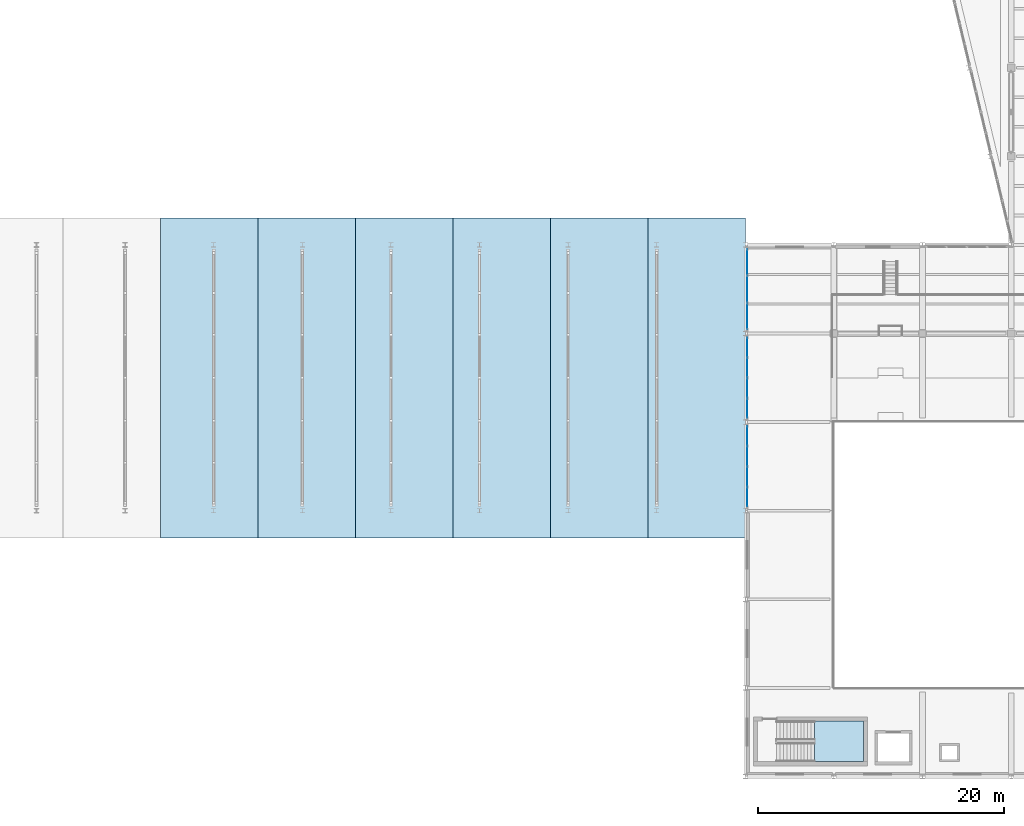
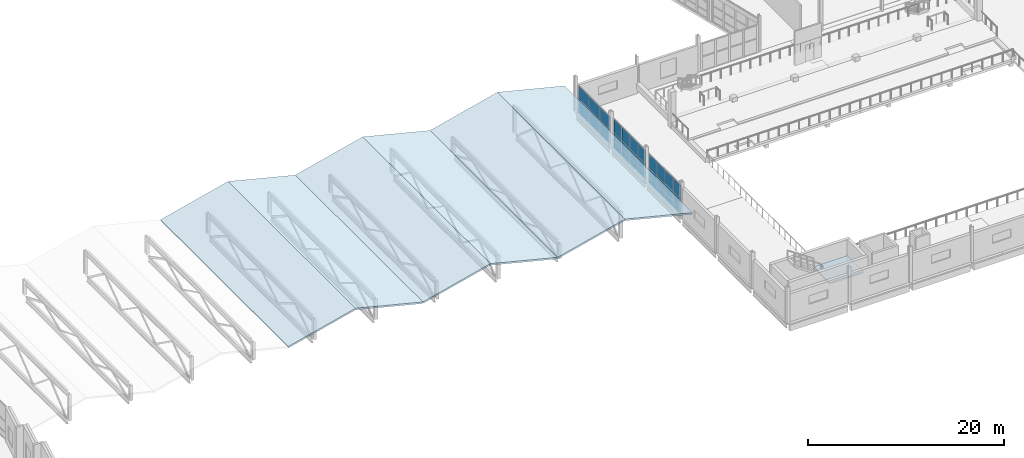
# One storey, part 75 of 123: 30 plates, 7 slabs, 4 elements without a shape of their own.
"""IFC4 building model written with IfcOpenShell, lengths in metres."""

from ifc_helpers import new_model, si_unit, direction, frame, origin, origin_2d, place, context, subcontext, project, spatial, polyline, rectangle, outline, extrude, material, layer, layer_set, type_object, element, aggregate, save


model = new_model("IFC4")

# Units and contexts
model_context = context("Model", 3, precision=1e-05, world=origin(), true_north=direction((0.0, 1.0)))
body_context = subcontext(model_context, "Body", "Model", "MODEL_VIEW")
ifc_project = project(units=[si_unit("LENGTHUNIT", "METRE"), si_unit("AREAUNIT", "SQUARE_METRE"), si_unit("VOLUMEUNIT", "CUBIC_METRE"), si_unit("PLANEANGLEUNIT", "RADIAN"), si_unit("MASSUNIT", "GRAM", prefix="KILO")], contexts=[model_context])

# Site, building, storey
site_placement = place(None, origin())
site = spatial("IfcSite", under=ifc_project, at=site_placement, CompositionType="ELEMENT")
building_placement = place(site_placement, origin())
building = spatial("IfcBuilding", under=site, at=building_placement, Name="Kalmorath City Hall", CompositionType="ELEMENT")
storey_placement = place(building_placement, frame((0.0, 0.0, 10.199951171875)))
storey = spatial("IfcBuildingStorey", under=building, at=storey_placement, Name="L02", CompositionType="ELEMENT", Elevation=10.199951171875)

# Slabs
ifc_material_1 = material(Name="Concrete C40/50", Category="concrete")
ifc_layer_1 = layer(ifc_material_1, 0.199951171875)
ifc_layer_set_1 = layer_set([ifc_layer_1], Name="Concrete C40/50")
slab_type_1 = type_object("IfcSlabType", Name="Concrete folded-plate hall roof slab 200", PredefinedType="ROOF", material=ifc_layer_set_1)
slab_1_placement = place(storey_placement, frame((67.679931640625, 19.39990234375, 1.900146484375), z_axis=(-0.242528588587, 0.0, 0.97014425923), x_axis=(0.97014425923, 0.0, 0.242528588587)))
element("IfcSlab", 1, at=slab_1_placement, inside=storey, type_object=slab_type_1, Name="Public Hall folded roof panel F5", PredefinedType="ROOF", context=body_context, shape_type="SweptSolid", body=[
    extrude(outline(polyline([(0.0, 0.0), (8.163905460727278, 0.0), (8.163905460727278, 26.0), (0.0, 26.0), (0.0, 0.0)])), origin(), (0.0, 0.0, -1.0), 0.199951171875),
])
for number, where, z_axis, x_axis, name in (
    (2, (75.60009765625, 19.39990234375, 3.880126953125), (0.242535625036, 0.0, 0.970142500145), (0.970142500145, 0.0, -0.242535625036), "Public Hall folded roof panel F6"),
    (3, (83.52001953125, 19.39990234375, 1.900146484375), (-0.242535625036, 0.0, 0.970142500145), (0.970142500145, 0.0, 0.242535625036), "Public Hall folded roof panel F7"),
):
    element("IfcSlab", number, at=place(storey_placement, frame(where, z_axis=z_axis, x_axis=x_axis)), inside=storey, type_object=slab_type_1, Name=name, PredefinedType="ROOF", context=body_context, shape_type="SweptSolid", body=[
        extrude(outline(polyline([(0.0, 0.0), (8.163668609316217, 0.0), (8.163668609316217, 26.0), (0.0, 26.0), (0.0, 0.0)])), origin(), (0.0, 0.0, -1.0), 0.199951171875),
    ])
slab_2_placement = place(storey_placement, frame((91.43994140625, 19.39990234375, 3.880126953125), z_axis=(0.242528588587, 0.0, 0.97014425923), x_axis=(0.97014425923, 0.0, -0.242528588587)))
element("IfcSlab", 4, at=slab_2_placement, inside=storey, type_object=slab_type_1, Name="Public Hall folded roof panel F8", PredefinedType="ROOF", context=body_context, shape_type="SweptSolid", body=[
    extrude(outline(polyline([(0.0, 0.0), (8.163905460727278, 0.0), (8.163905460727278, 26.0), (0.0, 26.0), (0.0, 0.0)])), origin(), (0.0, 0.0, -1.0), 0.199951171875),
])
for number, where, z_axis, x_axis, name in (
    (5, (99.360107421875, 19.39990234375, 1.900146484375), (-0.242535625036, 0.0, 0.970142500145), (0.970142500145, 0.0, 0.242535625036), "Public Hall folded roof panel F9"),
    (6, (107.280029296875, 19.39990234375, 3.880126953125), (0.242535625036, 0.0, 0.970142500145), (0.970142500145, 0.0, -0.242535625036), "Public Hall folded roof panel F10"),
):
    element("IfcSlab", number, at=place(storey_placement, frame(where, z_axis=z_axis, x_axis=x_axis)), inside=storey, type_object=slab_type_1, Name=name, PredefinedType="ROOF", context=body_context, shape_type="SweptSolid", body=[
        extrude(outline(polyline([(0.0, 0.0), (8.163668609316217, 0.0), (8.163668609316217, 26.0), (0.0, 26.0), (0.0, 0.0)])), origin(), (0.0, 0.0, -1.0), 0.199951171875),
    ])

# Stair, slab
ifc_material_2 = material(Name="Concrete C40/50", Category="concrete")
stair_type = type_object("IfcStairType", Name="Dogleg concrete exit stair 24R x 188mm W1550", PredefinedType="HALF_TURN_STAIR", material=ifc_material_2)
stair_placement = place(storey_placement, origin())
stair = element("IfcStair", 7, at=stair_placement, inside=storey, type_object=stair_type, Name="L02 Protected exit stair ST-5", PredefinedType="HALF_TURN_STAIR")
ifc_material_3 = material(Name="Concrete C40/50", Category="concrete")
ifc_layer_2 = layer(ifc_material_3, 0.199951171875)
ifc_layer_set_2 = layer_set([ifc_layer_2], Name="Concrete C40/50")
slab_type_2 = type_object("IfcSlabType", Name="Concrete stair half-landing slab 200", PredefinedType="LANDING", material=ifc_layer_set_2)
slab_3_placement = place(storey_placement, frame((0.0, 0.0, 2.050048828125)))
slab_3 = element("IfcSlab", 8, at=slab_3_placement, type_object=slab_type_2, Name="ST-5 landing 1", PredefinedType="LANDING", context=body_context, shape_type="SweptSolid", body=[
    extrude(outline(polyline([(120.830078125, 1.199951171875), (124.800048828125, 1.199951171875), (124.800048828125, 4.5), (120.830078125, 4.5), (120.830078125, 1.199951171875)])), origin(), (0.0, 0.0, 1.0), 0.199951171875),
])
aggregate(stair, [slab_3])

# Curtain wall, plates
ifc_material_4 = material(Name="Anodised aluminium and laminated glass", Category="aluminium")
curtain_wall_type_1 = type_object("IfcCurtainWallType", Name="Unitised hurricane curtain wall 6651x3696 M1800", PredefinedType="NOTDEFINED", material=ifc_material_4)
curtain_wall_1_placement = place(storey_placement, origin())
curtain_wall_1 = element("IfcCurtainWall", 9, at=curtain_wall_1_placement, inside=storey, type_object=curtain_wall_type_1, Name="L02 curtain wall CW-67X37M18 #121", PredefinedType="NOTDEFINED")
ifc_material_5 = material(Name="Hurricane laminated low-E glass", Category="glass")
ifc_layer_3 = layer(ifc_material_5, 0.031982421875)
ifc_layer_set_3 = layer_set([ifc_layer_3], Name="Hurricane laminated low-E glass")
plate_type = type_object("IfcPlateType", Name="Hurricane impact double-glazed panel 32", PredefinedType="CURTAIN_PANEL", material=ifc_layer_set_3)
plate_1_placement = place(storey_placement, frame((115.360107421875, 22.724609375, 0.065185546875), z_axis=(0.0, 0.0, 1.0), x_axis=(0.0, 1.0, 0.0)))
plate_1 = element("IfcPlate", 10, at=plate_1_placement, type_object=plate_type, Name="CW-67X37M18 panel 1.1", PredefinedType="CURTAIN_PANEL", context=body_context, shape_type="SweptSolid", body=[
    extrude(rectangle(XDim=1.55029296875, YDim=0.031982421875, at=origin_2d()), origin(), (0.0, 0.0, 1.0), 0.75244140625),
])
plate_2_placement = place(storey_placement, frame((115.360107421875, 22.724609375, 0.88232421875), z_axis=(0.0, 0.0, 1.0), x_axis=(0.0, 1.0, 0.0)))
plate_2 = element("IfcPlate", 11, at=plate_2_placement, type_object=plate_type, Name="CW-67X37M18 panel 1.2", PredefinedType="CURTAIN_PANEL", context=body_context, shape_type="SweptSolid", body=[
    extrude(rectangle(XDim=1.55029296875, YDim=0.031982421875, at=origin_2d()), origin(), (0.0, 0.0, 1.0), 1.007080078125),
])
plate_3_placement = place(storey_placement, frame((115.360107421875, 22.724609375, 1.95458984375), z_axis=(0.0, 0.0, 1.0), x_axis=(0.0, 1.0, 0.0)))
plate_3 = element("IfcPlate", 12, at=plate_3_placement, type_object=plate_type, Name="CW-67X37M18 panel 1.3", PredefinedType="CURTAIN_PANEL", context=body_context, shape_type="SweptSolid", body=[
    extrude(rectangle(XDim=1.55029296875, YDim=0.031982421875, at=origin_2d()), origin(), (0.0, 0.0, 1.0), 1.676513671875),
])
plate_4_placement = place(storey_placement, frame((115.360107421875, 24.36865234375, 0.065185546875), z_axis=(0.0, 0.0, 1.0), x_axis=(0.0, 1.0, 0.0)))
plate_4 = element("IfcPlate", 13, at=plate_4_placement, type_object=plate_type, Name="CW-67X37M18 panel 2.1", PredefinedType="CURTAIN_PANEL", context=body_context, shape_type="SweptSolid", body=[
    extrude(rectangle(XDim=1.587646484375, YDim=0.031982421875, at=origin_2d()), origin(), (0.0, 0.0, 1.0), 0.75244140625),
])
plate_5_placement = place(storey_placement, frame((115.360107421875, 24.36865234375, 0.88232421875), z_axis=(0.0, 0.0, 1.0), x_axis=(0.0, 1.0, 0.0)))
plate_5 = element("IfcPlate", 14, at=plate_5_placement, type_object=plate_type, Name="CW-67X37M18 panel 2.2", PredefinedType="CURTAIN_PANEL", context=body_context, shape_type="SweptSolid", body=[
    extrude(rectangle(XDim=1.587646484375, YDim=0.031982421875, at=origin_2d()), origin(), (0.0, 0.0, 1.0), 1.007080078125),
])
plate_6_placement = place(storey_placement, frame((115.360107421875, 24.36865234375, 1.95458984375), z_axis=(0.0, 0.0, 1.0), x_axis=(0.0, 1.0, 0.0)))
plate_6 = element("IfcPlate", 15, at=plate_6_placement, type_object=plate_type, Name="CW-67X37M18 panel 2.3", PredefinedType="CURTAIN_PANEL", context=body_context, shape_type="SweptSolid", body=[
    extrude(rectangle(XDim=1.587646484375, YDim=0.031982421875, at=origin_2d()), origin(), (0.0, 0.0, 1.0), 1.676513671875),
])
plate_7_placement = place(storey_placement, frame((115.360107421875, 26.031494140625, 0.065185546875), z_axis=(0.0, 0.0, 1.0), x_axis=(0.0, 1.0, 0.0)))
plate_7 = element("IfcPlate", 16, at=plate_7_placement, type_object=plate_type, Name="CW-67X37M18 panel 3.1", PredefinedType="CURTAIN_PANEL", context=body_context, shape_type="SweptSolid", body=[
    extrude(rectangle(XDim=1.587646484375, YDim=0.031982421875, at=origin_2d()), origin(), (0.0, 0.0, 1.0), 0.75244140625),
])
plate_8_placement = place(storey_placement, frame((115.360107421875, 26.031494140625, 0.88232421875), z_axis=(0.0, 0.0, 1.0), x_axis=(0.0, 1.0, 0.0)))
plate_8 = element("IfcPlate", 17, at=plate_8_placement, type_object=plate_type, Name="CW-67X37M18 panel 3.2", PredefinedType="CURTAIN_PANEL", context=body_context, shape_type="SweptSolid", body=[
    extrude(rectangle(XDim=1.587646484375, YDim=0.031982421875, at=origin_2d()), origin(), (0.0, 0.0, 1.0), 1.007080078125),
])
plate_9_placement = place(storey_placement, frame((115.360107421875, 26.031494140625, 1.95458984375), z_axis=(0.0, 0.0, 1.0), x_axis=(0.0, 1.0, 0.0)))
plate_9 = element("IfcPlate", 18, at=plate_9_placement, type_object=plate_type, Name="CW-67X37M18 panel 3.3", PredefinedType="CURTAIN_PANEL", context=body_context, shape_type="SweptSolid", body=[
    extrude(rectangle(XDim=1.587646484375, YDim=0.031982421875, at=origin_2d()), origin(), (0.0, 0.0, 1.0), 1.676513671875),
])
plate_10_placement = place(storey_placement, frame((115.360107421875, 27.67529296875, 0.065185546875), z_axis=(0.0, 0.0, 1.0), x_axis=(0.0, 1.0, 0.0)))
plate_10 = element("IfcPlate", 19, at=plate_10_placement, type_object=plate_type, Name="CW-67X37M18 panel 4.1", PredefinedType="CURTAIN_PANEL", context=body_context, shape_type="SweptSolid", body=[
    extrude(rectangle(XDim=1.55029296875, YDim=0.031982421875, at=origin_2d()), origin(), (0.0, 0.0, 1.0), 0.75244140625),
])
plate_11_placement = place(storey_placement, frame((115.360107421875, 27.67529296875, 0.88232421875), z_axis=(0.0, 0.0, 1.0), x_axis=(0.0, 1.0, 0.0)))
plate_11 = element("IfcPlate", 20, at=plate_11_placement, type_object=plate_type, Name="CW-67X37M18 panel 4.2", PredefinedType="CURTAIN_PANEL", context=body_context, shape_type="SweptSolid", body=[
    extrude(rectangle(XDim=1.55029296875, YDim=0.031982421875, at=origin_2d()), origin(), (0.0, 0.0, 1.0), 1.007080078125),
])
plate_12_placement = place(storey_placement, frame((115.360107421875, 27.67529296875, 1.95458984375), z_axis=(0.0, 0.0, 1.0), x_axis=(0.0, 1.0, 0.0)))
plate_12 = element("IfcPlate", 21, at=plate_12_placement, type_object=plate_type, Name="CW-67X37M18 panel 4.3", PredefinedType="CURTAIN_PANEL", context=body_context, shape_type="SweptSolid", body=[
    extrude(rectangle(XDim=1.55029296875, YDim=0.031982421875, at=origin_2d()), origin(), (0.0, 0.0, 1.0), 1.676513671875),
])
aggregate(curtain_wall_1, [plate_1, plate_2, plate_3, plate_4, plate_5, plate_6, plate_7, plate_8, plate_9, plate_10, plate_11, plate_12])

ifc_material_6 = material(Name="Anodised aluminium and laminated glass", Category="aluminium")
curtain_wall_type_2 = type_object("IfcCurtainWallType", Name="Unitised hurricane curtain wall 6651x3696 M1500", PredefinedType="NOTDEFINED", material=ifc_material_6)
curtain_wall_2_placement = place(storey_placement, origin())
curtain_wall_2 = element("IfcCurtainWall", 22, at=curtain_wall_2_placement, inside=storey, type_object=curtain_wall_type_2, Name="L02 curtain wall CW-67X37M15 #122", PredefinedType="NOTDEFINED")
plate_13_placement = place(storey_placement, frame((115.360107421875, 29.924560546875, 0.065185546875), z_axis=(0.0, 0.0, 1.0), x_axis=(0.0, 1.0, 0.0)))
plate_13 = element("IfcPlate", 23, at=plate_13_placement, type_object=plate_type, Name="CW-67X37M15 panel 1.1", PredefinedType="CURTAIN_PANEL", context=body_context, shape_type="SweptSolid", body=[
    extrude(rectangle(XDim=1.55029296875, YDim=0.031982421875, at=origin_2d()), origin(), (0.0, 0.0, 1.0), 0.75244140625),
])
plate_14_placement = place(storey_placement, frame((115.360107421875, 29.924560546875, 0.88232421875), z_axis=(0.0, 0.0, 1.0), x_axis=(0.0, 1.0, 0.0)))
plate_14 = element("IfcPlate", 24, at=plate_14_placement, type_object=plate_type, Name="CW-67X37M15 panel 1.2", PredefinedType="CURTAIN_PANEL", context=body_context, shape_type="SweptSolid", body=[
    extrude(rectangle(XDim=1.55029296875, YDim=0.031982421875, at=origin_2d()), origin(), (0.0, 0.0, 1.0), 1.007080078125),
])
plate_15_placement = place(storey_placement, frame((115.360107421875, 29.924560546875, 1.95458984375), z_axis=(0.0, 0.0, 1.0), x_axis=(0.0, 1.0, 0.0)))
plate_15 = element("IfcPlate", 25, at=plate_15_placement, type_object=plate_type, Name="CW-67X37M15 panel 1.3", PredefinedType="CURTAIN_PANEL", context=body_context, shape_type="SweptSolid", body=[
    extrude(rectangle(XDim=1.55029296875, YDim=0.031982421875, at=origin_2d()), origin(), (0.0, 0.0, 1.0), 1.676513671875),
])
plate_16_placement = place(storey_placement, frame((115.360107421875, 31.568603515625, 0.065185546875), z_axis=(0.0, 0.0, 1.0), x_axis=(0.0, 1.0, 0.0)))
plate_16 = element("IfcPlate", 26, at=plate_16_placement, type_object=plate_type, Name="CW-67X37M15 panel 2.1", PredefinedType="CURTAIN_PANEL", context=body_context, shape_type="SweptSolid", body=[
    extrude(rectangle(XDim=1.587646484375, YDim=0.031982421875, at=origin_2d()), origin(), (0.0, 0.0, 1.0), 0.75244140625),
])
plate_17_placement = place(storey_placement, frame((115.360107421875, 31.568603515625, 0.88232421875), z_axis=(0.0, 0.0, 1.0), x_axis=(0.0, 1.0, 0.0)))
plate_17 = element("IfcPlate", 27, at=plate_17_placement, type_object=plate_type, Name="CW-67X37M15 panel 2.2", PredefinedType="CURTAIN_PANEL", context=body_context, shape_type="SweptSolid", body=[
    extrude(rectangle(XDim=1.587646484375, YDim=0.031982421875, at=origin_2d()), origin(), (0.0, 0.0, 1.0), 1.007080078125),
])
plate_18_placement = place(storey_placement, frame((115.360107421875, 31.568603515625, 1.95458984375), z_axis=(0.0, 0.0, 1.0), x_axis=(0.0, 1.0, 0.0)))
plate_18 = element("IfcPlate", 28, at=plate_18_placement, type_object=plate_type, Name="CW-67X37M15 panel 2.3", PredefinedType="CURTAIN_PANEL", context=body_context, shape_type="SweptSolid", body=[
    extrude(rectangle(XDim=1.587646484375, YDim=0.031982421875, at=origin_2d()), origin(), (0.0, 0.0, 1.0), 1.676513671875),
])
plate_19_placement = place(storey_placement, frame((115.360107421875, 33.2314453125, 0.065185546875), z_axis=(0.0, 0.0, 1.0), x_axis=(0.0, 1.0, 0.0)))
plate_19 = element("IfcPlate", 29, at=plate_19_placement, type_object=plate_type, Name="CW-67X37M15 panel 3.1", PredefinedType="CURTAIN_PANEL", context=body_context, shape_type="SweptSolid", body=[
    extrude(rectangle(XDim=1.587646484375, YDim=0.031982421875, at=origin_2d()), origin(), (0.0, 0.0, 1.0), 0.75244140625),
])
plate_20_placement = place(storey_placement, frame((115.360107421875, 33.2314453125, 0.88232421875), z_axis=(0.0, 0.0, 1.0), x_axis=(0.0, 1.0, 0.0)))
plate_20 = element("IfcPlate", 30, at=plate_20_placement, type_object=plate_type, Name="CW-67X37M15 panel 3.2", PredefinedType="CURTAIN_PANEL", context=body_context, shape_type="SweptSolid", body=[
    extrude(rectangle(XDim=1.587646484375, YDim=0.031982421875, at=origin_2d()), origin(), (0.0, 0.0, 1.0), 1.007080078125),
])
plate_21_placement = place(storey_placement, frame((115.360107421875, 33.2314453125, 1.95458984375), z_axis=(0.0, 0.0, 1.0), x_axis=(0.0, 1.0, 0.0)))
plate_21 = element("IfcPlate", 31, at=plate_21_placement, type_object=plate_type, Name="CW-67X37M15 panel 3.3", PredefinedType="CURTAIN_PANEL", context=body_context, shape_type="SweptSolid", body=[
    extrude(rectangle(XDim=1.587646484375, YDim=0.031982421875, at=origin_2d()), origin(), (0.0, 0.0, 1.0), 1.676513671875),
])
plate_22_placement = place(storey_placement, frame((115.360107421875, 34.87548828125, 0.065185546875), z_axis=(0.0, 0.0, 1.0), x_axis=(0.0, 1.0, 0.0)))
plate_22 = element("IfcPlate", 32, at=plate_22_placement, type_object=plate_type, Name="CW-67X37M15 panel 4.1", PredefinedType="CURTAIN_PANEL", context=body_context, shape_type="SweptSolid", body=[
    extrude(rectangle(XDim=1.55029296875, YDim=0.031982421875, at=origin_2d()), origin(), (0.0, 0.0, 1.0), 0.75244140625),
])
plate_23_placement = place(storey_placement, frame((115.360107421875, 34.87548828125, 0.88232421875), z_axis=(0.0, 0.0, 1.0), x_axis=(0.0, 1.0, 0.0)))
plate_23 = element("IfcPlate", 33, at=plate_23_placement, type_object=plate_type, Name="CW-67X37M15 panel 4.2", PredefinedType="CURTAIN_PANEL", context=body_context, shape_type="SweptSolid", body=[
    extrude(rectangle(XDim=1.55029296875, YDim=0.031982421875, at=origin_2d()), origin(), (0.0, 0.0, 1.0), 1.007080078125),
])
plate_24_placement = place(storey_placement, frame((115.360107421875, 34.87548828125, 1.95458984375), z_axis=(0.0, 0.0, 1.0), x_axis=(0.0, 1.0, 0.0)))
plate_24 = element("IfcPlate", 34, at=plate_24_placement, type_object=plate_type, Name="CW-67X37M15 panel 4.3", PredefinedType="CURTAIN_PANEL", context=body_context, shape_type="SweptSolid", body=[
    extrude(rectangle(XDim=1.55029296875, YDim=0.031982421875, at=origin_2d()), origin(), (0.0, 0.0, 1.0), 1.676513671875),
])
aggregate(curtain_wall_2, [plate_13, plate_14, plate_15, plate_16, plate_17, plate_18, plate_19, plate_20, plate_21, plate_22, plate_23, plate_24])

ifc_material_7 = material(Name="Anodised aluminium and laminated glass", Category="aluminium")
curtain_wall_type_3 = type_object("IfcCurtainWallType", Name="Unitised hurricane curtain wall 6651x3471 M2100", PredefinedType="NOTDEFINED", material=ifc_material_7)
curtain_wall_3_placement = place(storey_placement, origin())
curtain_wall_3 = element("IfcCurtainWall", 35, at=curtain_wall_3_placement, inside=storey, type_object=curtain_wall_type_3, Name="L02 curtain wall CW-67X35M21 #123", PredefinedType="NOTDEFINED")
plate_25_placement = place(storey_placement, frame((115.360107421875, 37.40185546875, 0.06494140625), z_axis=(0.0, 0.0, 1.0), x_axis=(0.0, 1.0, 0.0)))
plate_25 = element("IfcPlate", 36, at=plate_25_placement, type_object=plate_type, Name="CW-67X35M21 panel 1.1", PredefinedType="CURTAIN_PANEL", context=body_context, shape_type="SweptSolid", body=[
    extrude(rectangle(XDim=2.1044921875, YDim=0.031982421875, at=origin_2d()), origin(), (0.0, 0.0, 1.0), 1.70751953125),
])
plate_26_placement = place(storey_placement, frame((115.360107421875, 37.40185546875, 1.83740234375), z_axis=(0.0, 0.0, 1.0), x_axis=(0.0, 1.0, 0.0)))
plate_26 = element("IfcPlate", 37, at=plate_26_placement, type_object=plate_type, Name="CW-67X35M21 panel 1.2", PredefinedType="CURTAIN_PANEL", context=body_context, shape_type="SweptSolid", body=[
    extrude(rectangle(XDim=2.1044921875, YDim=0.031982421875, at=origin_2d()), origin(), (0.0, 0.0, 1.0), 1.568603515625),
])
plate_27_placement = place(storey_placement, frame((115.360107421875, 39.60009765625, 0.06494140625), z_axis=(0.0, 0.0, 1.0), x_axis=(0.0, 1.0, 0.0)))
plate_27 = element("IfcPlate", 38, at=plate_27_placement, type_object=plate_type, Name="CW-67X35M21 panel 2.1", PredefinedType="CURTAIN_PANEL", context=body_context, shape_type="SweptSolid", body=[
    extrude(rectangle(XDim=2.14208984375, YDim=0.031982421875, at=origin_2d()), origin(), (0.0, 0.0, 1.0), 1.70751953125),
])
plate_28_placement = place(storey_placement, frame((115.360107421875, 39.60009765625, 1.83740234375), z_axis=(0.0, 0.0, 1.0), x_axis=(0.0, 1.0, 0.0)))
plate_28 = element("IfcPlate", 39, at=plate_28_placement, type_object=plate_type, Name="CW-67X35M21 panel 2.2", PredefinedType="CURTAIN_PANEL", context=body_context, shape_type="SweptSolid", body=[
    extrude(rectangle(XDim=2.14208984375, YDim=0.031982421875, at=origin_2d()), origin(), (0.0, 0.0, 1.0), 1.568603515625),
])
plate_29_placement = place(storey_placement, frame((115.360107421875, 41.79833984375, 0.06494140625), z_axis=(0.0, 0.0, 1.0), x_axis=(0.0, 1.0, 0.0)))
plate_29 = element("IfcPlate", 40, at=plate_29_placement, type_object=plate_type, Name="CW-67X35M21 panel 3.1", PredefinedType="CURTAIN_PANEL", context=body_context, shape_type="SweptSolid", body=[
    extrude(rectangle(XDim=2.1044921875, YDim=0.031982421875, at=origin_2d()), origin(), (0.0, 0.0, 1.0), 1.70751953125),
])
plate_30_placement = place(storey_placement, frame((115.360107421875, 41.79833984375, 1.83740234375), z_axis=(0.0, 0.0, 1.0), x_axis=(0.0, 1.0, 0.0)))
plate_30 = element("IfcPlate", 41, at=plate_30_placement, type_object=plate_type, Name="CW-67X35M21 panel 3.2", PredefinedType="CURTAIN_PANEL", context=body_context, shape_type="SweptSolid", body=[
    extrude(rectangle(XDim=2.1044921875, YDim=0.031982421875, at=origin_2d()), origin(), (0.0, 0.0, 1.0), 1.568603515625),
])
aggregate(curtain_wall_3, [plate_25, plate_26, plate_27, plate_28, plate_29, plate_30])

save(model, "model.ifc")
